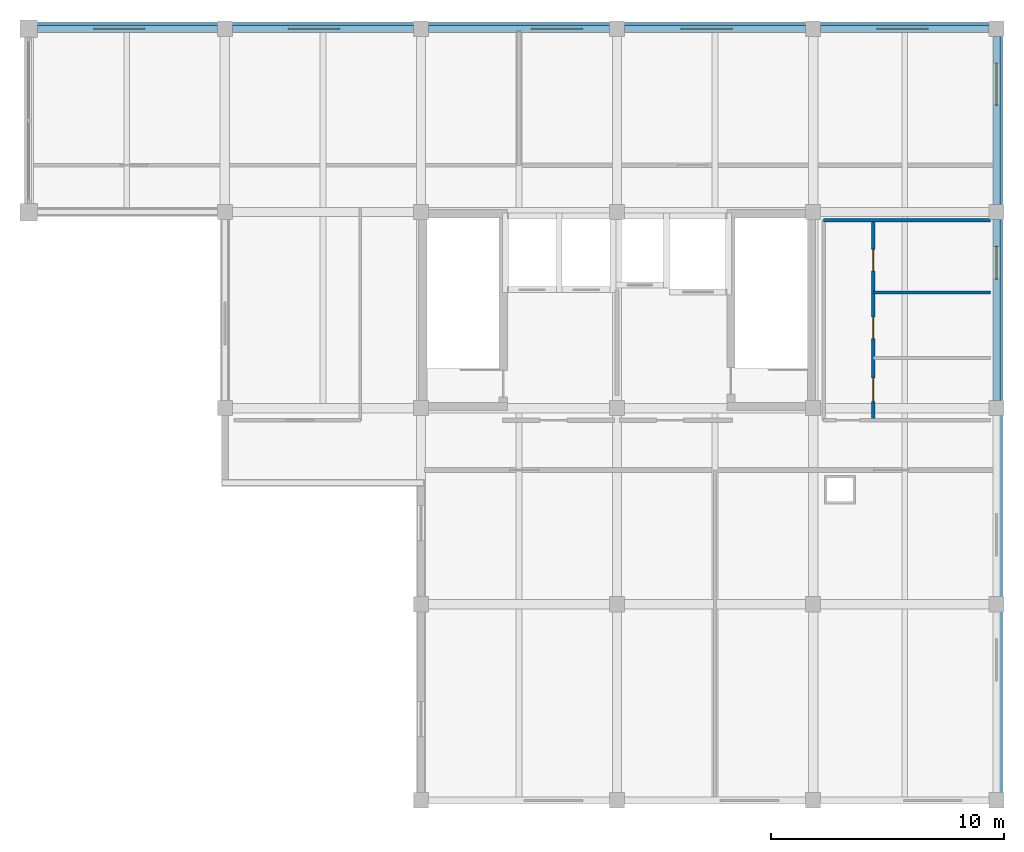
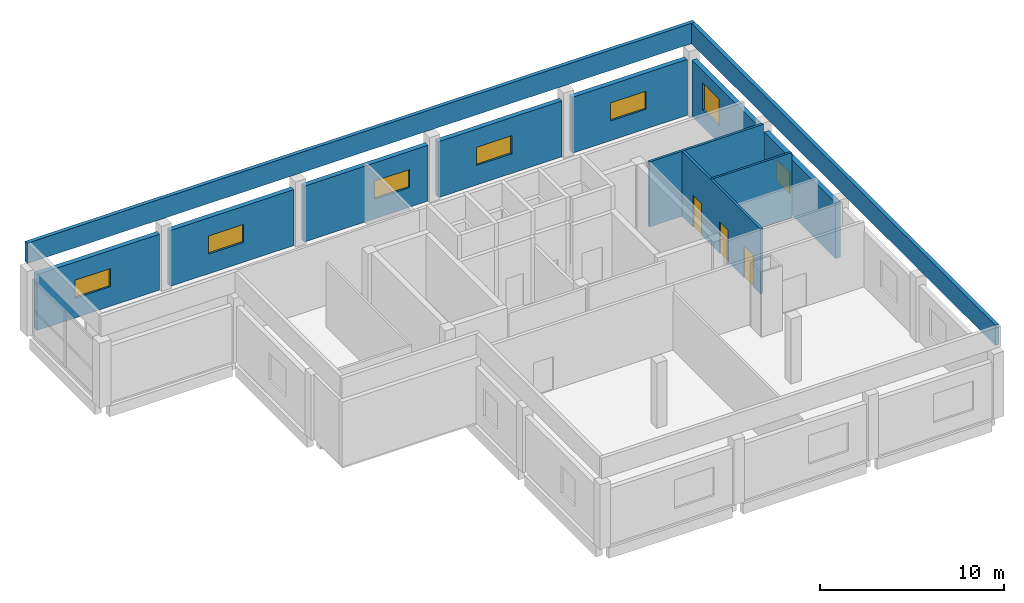
# One storey, part 7 of 8: 12 walls, 7 windows, 3 doors, 10 openings.
"""IFC4 building model written with IfcOpenShell, lengths in metres."""

from ifc_helpers import new_model, si_unit, direction, frame, frame_2d, origin, place, context, subcontext, project, spatial, rectangle, extrude, material, layer, layer_set, type_object, element, fill, save


model = new_model("IFC4")

# Units and contexts
model_context = context("Model", 3, precision=1e-05, world=origin(), true_north=direction((0.0, 1.0)))
body_context = subcontext(model_context, "Body", "Model", "MODEL_VIEW")
ifc_project = project(units=[si_unit("LENGTHUNIT", "METRE"), si_unit("AREAUNIT", "SQUARE_METRE"), si_unit("VOLUMEUNIT", "CUBIC_METRE"), si_unit("PLANEANGLEUNIT", "RADIAN"), si_unit("MASSUNIT", "GRAM", prefix="KILO")], contexts=[model_context])

# Site, building, storey
site_placement = place(None, origin())
site = spatial("IfcSite", under=ifc_project, at=site_placement, CompositionType="ELEMENT")
building_placement = place(site_placement, origin())
building = spatial("IfcBuilding", under=site, at=building_placement, Name="Brinegate Botanical Conservatory", CompositionType="ELEMENT")
storey_placement = place(building_placement, frame((0.0, 0.0, 65.699951171875)))
storey = spatial("IfcBuildingStorey", under=building, at=storey_placement, Name="L16", CompositionType="ELEMENT", Elevation=65.699951171875)

# Wall, opening, window
ifc_material_1 = material(Name="Insulated Minnan red clay brick masonry", Category="masonry")
ifc_layer_1 = layer(ifc_material_1, 0.300048828125, Name="Insulated Minnan red clay brick masonry", Category="masonry")
ifc_layer_set_1 = layer_set([ifc_layer_1], Name="Insulated Minnan red clay brick masonry")
wall_type_1 = type_object("IfcWallType", Name="Wall_EW-300B", PredefinedType="STANDARD", material=ifc_layer_set_1)
wall_1_placement = place(storey_placement, frame((122.375, 111.449951171875, 0.0), z_axis=(0.0, 0.0, 1.0), x_axis=(1.0, 0.0, 0.0)))
wall_1 = element("IfcWall", 1, at=wall_1_placement, inside=storey, type_object=wall_type_1, Name="Observatory north wall 1", PredefinedType="STANDARD", context=body_context, shape_type="SweptSolid", body=[
    extrude(rectangle(XDim=7.699951171875, YDim=0.300048828125, at=frame_2d((3.85009765625, 0.0))), origin(), (0.0, 0.0, 1.0), 3.699951171875),
])
opening_1_placement = place(wall_1_placement, frame((2.39990234375, 0.0, 1.300048828125)))
opening_1 = element("IfcOpeningElement", 2, at=opening_1_placement, cuts=wall_1, Name="Opening WN-18", PredefinedType="OPENING", context=body_context, shape_type="SweptSolid", body=[
    extrude(rectangle(XDim=2.199951171875, YDim=1.199951171875, at=frame_2d((1.10009765625, 0.60009765625))), frame((0.0, 0.159912109375, 0.0), z_axis=(0.0, -1.0, 0.0), x_axis=(1.0, 0.0, 0.0)), (0.0, 0.0, 1.0), 0.320068359375),
])
ifc_material_2 = material(Name="Thermally broken aluminium-framed Low-E glass", Category="aluminium")
window_type_1 = type_object("IfcWindowType", Name="Win_WN-18", PartitioningType="DOUBLE_PANEL_HORIZONTAL", PredefinedType="WINDOW", material=ifc_material_2)
window_1_placement = place(opening_1_placement, origin())
window_1 = element("IfcWindow", 3, at=window_1_placement, inside=storey, type_object=window_type_1, Name="Observatory north window 1", OverallHeight=1.199951171875, OverallWidth=2.199951171875, PartitioningType="DOUBLE_PANEL_HORIZONTAL", PredefinedType="WINDOW", context=body_context, shape_type="SweptSolid", body=[
    extrude(rectangle(XDim=2.199951171875, YDim=1.199951171875, at=frame_2d((1.10009765625, 0.60009765625))), frame((0.0, 0.030029296875, 0.0), z_axis=(0.0, -1.0, 0.0), x_axis=(1.0, 0.0, 0.0)), (0.0, 0.0, 1.0), 0.06005859375),
])
fill(opening_1, window_1)

wall_2_placement = place(storey_placement, frame((130.72509765625, 111.449951171875, 0.0), z_axis=(0.0, 0.0, 1.0), x_axis=(1.0, 0.0, 0.0)))
wall_2 = element("IfcWall", 4, at=wall_2_placement, inside=storey, type_object=wall_type_1, Name="Observatory north wall 2", PredefinedType="STANDARD", context=body_context, shape_type="SweptSolid", body=[
    extrude(rectangle(XDim=7.75, YDim=0.300048828125, at=frame_2d((3.875, 0.0))), origin(), (0.0, 0.0, 1.0), 3.699951171875),
])
opening_2_placement = place(wall_2_placement, frame((2.39990234375, 0.0, 1.300048828125)))
opening_2 = element("IfcOpeningElement", 5, at=opening_2_placement, cuts=wall_2, Name="Opening WN-18", PredefinedType="OPENING", context=body_context, shape_type="SweptSolid", body=[
    extrude(rectangle(XDim=2.199951171875, YDim=1.199951171875, at=frame_2d((1.10009765625, 0.60009765625))), frame((0.0, 0.159912109375, 0.0), z_axis=(0.0, -1.0, 0.0), x_axis=(1.0, 0.0, 0.0)), (0.0, 0.0, 1.0), 0.320068359375),
])
window_2_placement = place(opening_2_placement, origin())
window_2 = element("IfcWindow", 6, at=window_2_placement, inside=storey, type_object=window_type_1, Name="Observatory north window 2", OverallHeight=1.199951171875, OverallWidth=2.199951171875, PartitioningType="DOUBLE_PANEL_HORIZONTAL", PredefinedType="WINDOW", context=body_context, shape_type="SweptSolid", body=[
    extrude(rectangle(XDim=2.199951171875, YDim=1.199951171875, at=frame_2d((1.10009765625, 0.60009765625))), frame((0.0, 0.030029296875, 0.0), z_axis=(0.0, -1.0, 0.0), x_axis=(1.0, 0.0, 0.0)), (0.0, 0.0, 1.0), 0.06005859375),
])
fill(opening_2, window_2)

wall_3_placement = place(storey_placement, frame((139.125, 111.449951171875, 0.0), z_axis=(0.0, 0.0, 1.0), x_axis=(1.0, 0.0, 0.0)))
wall_3 = element("IfcWall", 7, at=wall_3_placement, inside=storey, type_object=wall_type_1, Name="Observatory north wall 3", PredefinedType="STANDARD", context=body_context, shape_type="SweptSolid", body=[
    extrude(rectangle(XDim=7.75, YDim=0.300048828125, at=frame_2d((3.875, 0.0))), origin(), (0.0, 0.0, 1.0), 3.699951171875),
])
opening_3_placement = place(wall_3_placement, frame((4.39990234375, 0.0, 1.300048828125)))
opening_3 = element("IfcOpeningElement", 8, at=opening_3_placement, cuts=wall_3, Name="Opening WN-18", PredefinedType="OPENING", context=body_context, shape_type="SweptSolid", body=[
    extrude(rectangle(XDim=2.199951171875, YDim=1.199951171875, at=frame_2d((1.10009765625, 0.60009765625))), frame((0.0, 0.159912109375, 0.0), z_axis=(0.0, -1.0, 0.0), x_axis=(1.0, 0.0, 0.0)), (0.0, 0.0, 1.0), 0.320068359375),
])
window_3_placement = place(opening_3_placement, origin())
window_3 = element("IfcWindow", 9, at=window_3_placement, inside=storey, type_object=window_type_1, Name="Observatory north window 3", OverallHeight=1.199951171875, OverallWidth=2.199951171875, PartitioningType="DOUBLE_PANEL_HORIZONTAL", PredefinedType="WINDOW", context=body_context, shape_type="SweptSolid", body=[
    extrude(rectangle(XDim=2.199951171875, YDim=1.199951171875, at=frame_2d((1.10009765625, 0.60009765625))), frame((0.0, 0.030029296875, 0.0), z_axis=(0.0, -1.0, 0.0), x_axis=(1.0, 0.0, 0.0)), (0.0, 0.0, 1.0), 0.06005859375),
])
fill(opening_3, window_3)

wall_4_placement = place(storey_placement, frame((147.52490234375, 111.449951171875, 0.0), z_axis=(0.0, 0.0, 1.0), x_axis=(1.0, 0.0, 0.0)))
wall_4 = element("IfcWall", 10, at=wall_4_placement, inside=storey, type_object=wall_type_1, Name="Observatory north wall 4", PredefinedType="STANDARD", context=body_context, shape_type="SweptSolid", body=[
    extrude(rectangle(XDim=7.75, YDim=0.300048828125, at=frame_2d((3.875, 0.0))), origin(), (0.0, 0.0, 1.0), 3.699951171875),
])
opening_4_placement = place(wall_4_placement, frame((2.39990234375, 0.0, 1.300048828125)))
opening_4 = element("IfcOpeningElement", 11, at=opening_4_placement, cuts=wall_4, Name="Opening WN-18", PredefinedType="OPENING", context=body_context, shape_type="SweptSolid", body=[
    extrude(rectangle(XDim=2.199951171875, YDim=1.199951171875, at=frame_2d((1.10009765625, 0.60009765625))), frame((0.0, 0.159912109375, 0.0), z_axis=(0.0, -1.0, 0.0), x_axis=(1.0, 0.0, 0.0)), (0.0, 0.0, 1.0), 0.320068359375),
])
window_4_placement = place(opening_4_placement, origin())
window_4 = element("IfcWindow", 12, at=window_4_placement, inside=storey, type_object=window_type_1, Name="Observatory north window 4", OverallHeight=1.199951171875, OverallWidth=2.199951171875, PartitioningType="DOUBLE_PANEL_HORIZONTAL", PredefinedType="WINDOW", context=body_context, shape_type="SweptSolid", body=[
    extrude(rectangle(XDim=2.199951171875, YDim=1.199951171875, at=frame_2d((1.10009765625, 0.60009765625))), frame((0.0, 0.030029296875, 0.0), z_axis=(0.0, -1.0, 0.0), x_axis=(1.0, 0.0, 0.0)), (0.0, 0.0, 1.0), 0.06005859375),
])
fill(opening_4, window_4)

wall_5_placement = place(storey_placement, frame((155.925048828125, 111.449951171875, 0.0), z_axis=(0.0, 0.0, 1.0), x_axis=(1.0, 0.0, 0.0)))
wall_5 = element("IfcWall", 13, at=wall_5_placement, inside=storey, type_object=wall_type_1, Name="Observatory north wall 5", PredefinedType="STANDARD", context=body_context, shape_type="SweptSolid", body=[
    extrude(rectangle(XDim=7.199951171875, YDim=0.300048828125, at=frame_2d((3.60009765625, 0.0))), origin(), (0.0, 0.0, 1.0), 3.699951171875),
])
opening_5_placement = place(wall_5_placement, frame((2.39990234375, 0.0, 1.300048828125)))
opening_5 = element("IfcOpeningElement", 14, at=opening_5_placement, cuts=wall_5, Name="Opening WN-18", PredefinedType="OPENING", context=body_context, shape_type="SweptSolid", body=[
    extrude(rectangle(XDim=2.199951171875, YDim=1.199951171875, at=frame_2d((1.10009765625, 0.60009765625))), frame((0.0, 0.159912109375, 0.0), z_axis=(0.0, -1.0, 0.0), x_axis=(1.0, 0.0, 0.0)), (0.0, 0.0, 1.0), 0.320068359375),
])
window_5_placement = place(opening_5_placement, origin())
window_5 = element("IfcWindow", 15, at=window_5_placement, inside=storey, type_object=window_type_1, Name="Observatory north window 5", OverallHeight=1.199951171875, OverallWidth=2.199951171875, PartitioningType="DOUBLE_PANEL_HORIZONTAL", PredefinedType="WINDOW", context=body_context, shape_type="SweptSolid", body=[
    extrude(rectangle(XDim=2.199951171875, YDim=1.199951171875, at=frame_2d((1.10009765625, 0.60009765625))), frame((0.0, 0.030029296875, 0.0), z_axis=(0.0, -1.0, 0.0), x_axis=(1.0, 0.0, 0.0)), (0.0, 0.0, 1.0), 0.06005859375),
])
fill(opening_5, window_5)

wall_6_placement = place(storey_placement, frame((163.449951171875, 103.27490234375, 0.0), z_axis=(0.0, 0.0, 1.0), x_axis=(0.0, -1.0, 0.0)))
wall_6 = element("IfcWall", 16, at=wall_6_placement, inside=storey, type_object=wall_type_1, Name="Tower east brick wall L16.3", PredefinedType="STANDARD", context=body_context, shape_type="SweptSolid", body=[
    extrude(rectangle(XDim=7.75, YDim=0.300048828125, at=frame_2d((3.875, 0.0))), origin(), (0.0, 0.0, 1.0), 3.699951171875),
])
opening_6_placement = place(wall_6_placement, frame((1.14990234375, 0.0, 1.10009765625)))
opening_6 = element("IfcOpeningElement", 17, at=opening_6_placement, cuts=wall_6, Name="Opening WN-16", PredefinedType="OPENING", context=body_context, shape_type="SweptSolid", body=[
    extrude(rectangle(XDim=1.39990234375, YDim=1.39990234375, at=frame_2d((0.699951171875, 0.699951171875))), frame((0.0, 0.159912109375, 0.0), z_axis=(0.0, -1.0, 0.0), x_axis=(1.0, 0.0, 0.0)), (0.0, 0.0, 1.0), 0.320068359375),
])
window_type_2 = type_object("IfcWindowType", Name="Win_WN-16", PartitioningType="SINGLE_PANEL", PredefinedType="WINDOW", material=ifc_material_2)
window_6_placement = place(opening_6_placement, origin())
window_6 = element("IfcWindow", 18, at=window_6_placement, inside=storey, type_object=window_type_2, Name="Tower east window L16.3", OverallHeight=1.39990234375, OverallWidth=1.39990234375, PartitioningType="SINGLE_PANEL", PredefinedType="WINDOW", context=body_context, shape_type="SweptSolid", body=[
    extrude(rectangle(XDim=1.39990234375, YDim=1.39990234375, at=frame_2d((0.699951171875, 0.699951171875))), frame((0.0, 0.030029296875, 0.0), z_axis=(0.0, -1.0, 0.0), x_axis=(1.0, 0.0, 0.0)), (0.0, 0.0, 1.0), 0.06005859375),
])
fill(opening_6, window_6)

wall_7_placement = place(storey_placement, frame((163.449951171875, 111.125, 0.0), z_axis=(0.0, 0.0, 1.0), x_axis=(0.0, -1.0, 0.0)))
wall_7 = element("IfcWall", 19, at=wall_7_placement, inside=storey, type_object=wall_type_1, Name="Tower east brick wall L16.4", PredefinedType="STANDARD", context=body_context, shape_type="SweptSolid", body=[
    extrude(rectangle(XDim=7.199951171875, YDim=0.300048828125, at=frame_2d((3.60009765625, 0.0))), origin(), (0.0, 0.0, 1.0), 3.699951171875),
])
opening_7_placement = place(wall_7_placement, frame((1.14990234375, 0.0, 1.10009765625)))
opening_7 = element("IfcOpeningElement", 20, at=opening_7_placement, cuts=wall_7, Name="Opening WN-05", PredefinedType="OPENING", context=body_context, shape_type="SweptSolid", body=[
    extrude(rectangle(XDim=1.800048828125, YDim=1.800048828125, at=frame_2d((0.89990234375, 0.89990234375))), frame((0.0, 0.159912109375, 0.0), z_axis=(0.0, -1.0, 0.0), x_axis=(1.0, 0.0, 0.0)), (0.0, 0.0, 1.0), 0.320068359375),
])
window_type_3 = type_object("IfcWindowType", Name="Win_WN-05", PartitioningType="DOUBLE_PANEL_VERTICAL", PredefinedType="WINDOW", material=ifc_material_2)
window_7_placement = place(opening_7_placement, origin())
window_7 = element("IfcWindow", 21, at=window_7_placement, inside=storey, type_object=window_type_3, Name="Tower east window L16.4", OverallHeight=1.800048828125, OverallWidth=1.800048828125, PartitioningType="DOUBLE_PANEL_VERTICAL", PredefinedType="WINDOW", context=body_context, shape_type="SweptSolid", body=[
    extrude(rectangle(XDim=1.800048828125, YDim=1.800048828125, at=frame_2d((0.89990234375, 0.89990234375))), frame((0.0, 0.030029296875, 0.0), z_axis=(0.0, -1.0, 0.0), x_axis=(1.0, 0.0, 0.0)), (0.0, 0.0, 1.0), 0.06005859375),
])
fill(opening_7, window_7)

# Walls
ifc_material_3 = material(Name="Precast concrete C40/50 coping & red-brick parapet", Category="masonry")
ifc_layer_2 = layer(ifc_material_3, 0.22998046875, Name="Precast concrete C40/50 coping & red-brick parapet", Category="masonry")
ifc_layer_set_2 = layer_set([ifc_layer_2], Name="Precast concrete C40/50 coping & red-brick parapet")
wall_type_2 = type_object("IfcWallType", Name="Wall_PR-230", PredefinedType="PARAPET", material=ifc_layer_set_2)
wall_8_placement = place(storey_placement, frame((163.60009765625, 78.514892578125, 4.5), z_axis=(0.0, 0.0, 1.0), x_axis=(0.0, 1.0, 0.0)))
element("IfcWall", 22, at=wall_8_placement, inside=storey, type_object=wall_type_2, Name="Tower main roof parapet 2", PredefinedType="PARAPET", context=body_context, shape_type="SweptSolid", body=[
    extrude(rectangle(XDim=32.97021484375, YDim=0.22998046875, at=frame_2d((16.485107421875, 0.0))), origin(), (0.0, 0.0, 1.0), 1.35009765625),
])
wall_9_placement = place(storey_placement, frame((163.715087890625, 111.60009765625, 4.5), z_axis=(0.0, 0.0, 1.0), x_axis=(-1.0, 0.0, 0.0)))
element("IfcWall", 23, at=wall_9_placement, inside=storey, type_object=wall_type_2, Name="Tower main roof parapet 3", PredefinedType="PARAPET", context=body_context, shape_type="SweptSolid", body=[
    extrude(rectangle(XDim=41.830078125, YDim=0.22998046875, at=frame_2d((20.9150390625, 0.0))), origin(), (0.0, 0.0, 1.0), 1.35009765625),
])
ifc_material_4 = material(Name="Gypsum-clad steel-stud partition", Category="steel")
ifc_layer_3 = layer(ifc_material_4, 0.135009765625, Name="Gypsum-clad steel-stud partition", Category="steel")
ifc_layer_set_3 = layer_set([ifc_layer_3], Name="Gypsum-clad steel-stud partition")
wall_type_3 = type_object("IfcWallType", Name="Wall_PW-135", PredefinedType="PARTITIONING", material=ifc_layer_set_3)
wall_10_placement = place(storey_placement, frame((158.179931640625, 100.14990234375, 0.0), z_axis=(0.0, 0.0, 1.0), x_axis=(1.0, 0.0, 0.0)))
element("IfcWall", 24, at=wall_10_placement, inside=storey, type_object=wall_type_3, Name="Interior partition P-L16-WCD-10015", PredefinedType="PARTITIONING", context=body_context, shape_type="SweptSolid", body=[
    extrude(rectangle(XDim=5.02001953125, YDim=0.135009765625, at=frame_2d((2.510009765625, 0.0))), origin(), (0.0, 0.0, 1.0), 4.300048828125),
])

# Wall, openings, doors
ifc_material_5 = material(Name="Moisture-resistant cement-board partition", Category="gypsum")
ifc_layer_4 = layer(ifc_material_5, 0.14990234375, Name="Moisture-resistant cement-board partition", Category="gypsum")
ifc_layer_set_4 = layer_set([ifc_layer_4], Name="Moisture-resistant cement-board partition")
wall_type_4 = type_object("IfcWallType", Name="Wall_PW-150W", PredefinedType="PARTITIONING", material=ifc_layer_set_4)
wall_11_placement = place(storey_placement, frame((158.179931640625, 94.679931640625, 0.0), z_axis=(0.0, 0.0, 1.0), x_axis=(0.0, 1.0, 0.0)))
wall_11 = element("IfcWall", 25, at=wall_11_placement, inside=storey, type_object=wall_type_4, Name="Interior partition P-L16-WCW", PredefinedType="PARTITIONING", context=body_context, shape_type="SweptSolid", body=[
    extrude(rectangle(XDim=8.570068359375, YDim=0.14990234375, at=frame_2d((4.28515625, 0.0))), origin(), (0.0, 0.0, 1.0), 4.300048828125),
])
opening_8_placement = place(wall_11_placement, frame((0.800048828125, 0.0, 0.0)))
opening_8 = element("IfcOpeningElement", 26, at=opening_8_placement, cuts=wall_11, Name="Opening DR-ACC", PredefinedType="OPENING", context=body_context, shape_type="SweptSolid", body=[
    extrude(rectangle(XDim=1.0, YDim=2.1201171875, at=frame_2d((0.5, 1.06005859375))), frame((0.0, 0.0849609375, 0.0), z_axis=(0.0, -1.0, 0.0), x_axis=(1.0, 0.0, 0.0)), (0.0, 0.0, 1.0), 0.169921875),
])
opening_9_placement = place(wall_11_placement, frame((3.5, 0.0, 0.0)))
opening_9 = element("IfcOpeningElement", 27, at=opening_9_placement, cuts=wall_11, Name="Opening DR-04", PredefinedType="OPENING", context=body_context, shape_type="SweptSolid", body=[
    extrude(rectangle(XDim=0.919921875, YDim=2.10009765625, at=frame_2d((0.4599609375, 1.050048828125))), frame((0.0, 0.0849609375, 0.0), z_axis=(0.0, -1.0, 0.0), x_axis=(1.0, 0.0, 0.0)), (0.0, 0.0, 1.0), 0.169921875),
])
opening_10_placement = place(wall_11_placement, frame((6.39990234375, 0.0, 0.0)))
opening_10 = element("IfcOpeningElement", 28, at=opening_10_placement, cuts=wall_11, Name="Opening DR-04", PredefinedType="OPENING", context=body_context, shape_type="SweptSolid", body=[
    extrude(rectangle(XDim=0.919921875, YDim=2.10009765625, at=frame_2d((0.4599609375, 1.050048828125))), frame((0.0, 0.0849609375, 0.0), z_axis=(0.0, -1.0, 0.0), x_axis=(1.0, 0.0, 0.0)), (0.0, 0.0, 1.0), 0.169921875),
])
ifc_material_6 = material(Name="Moisture-resistant laminate timber leaf", Category="wood")
door_type_1 = type_object("IfcDoorType", Name="Door_DR-04", OperationType="NOTDEFINED", PredefinedType="DOOR", material=ifc_material_6)
door_1_placement = place(opening_9_placement, origin())
door_1 = element("IfcDoor", 29, at=door_1_placement, inside=storey, type_object=door_type_1, Name="DR-P-L16-WCW-2", OperationType="SINGLE_SWING_RIGHT", OverallHeight=2.10009765625, OverallWidth=0.919921875, PredefinedType="DOOR", context=body_context, shape_type="SweptSolid", body=[
    extrude(rectangle(XDim=0.919921875, YDim=2.10009765625, at=frame_2d((0.4599609375, 1.050048828125))), frame((0.0, 0.02490234375, 0.0), z_axis=(0.0, -1.0, 0.0), x_axis=(1.0, 0.0, 0.0)), (0.0, 0.0, 1.0), 0.050048828125),
])
fill(opening_9, door_1)
door_2_placement = place(opening_10_placement, origin())
door_2 = element("IfcDoor", 30, at=door_2_placement, inside=storey, type_object=door_type_1, Name="DR-P-L16-WCW-3", OperationType="SINGLE_SWING_LEFT", OverallHeight=2.10009765625, OverallWidth=0.919921875, PredefinedType="DOOR", context=body_context, shape_type="SweptSolid", body=[
    extrude(rectangle(XDim=0.919921875, YDim=2.10009765625, at=frame_2d((0.4599609375, 1.050048828125))), frame((0.0, 0.02490234375, 0.0), z_axis=(0.0, -1.0, 0.0), x_axis=(1.0, 0.0, 0.0)), (0.0, 0.0, 1.0), 0.050048828125),
])
fill(opening_10, door_2)
ifc_material_7 = material(Name="Moisture-resistant barrier-free timber leaf", Category="wood")
door_type_2 = type_object("IfcDoorType", Name="Door_DR-ACC", OperationType="NOTDEFINED", PredefinedType="DOOR", material=ifc_material_7)
door_3_placement = place(opening_8_placement, origin())
door_3 = element("IfcDoor", 31, at=door_3_placement, inside=storey, type_object=door_type_2, Name="DR-P-L16-WCW-1", OperationType="SINGLE_SWING_LEFT", OverallHeight=2.1201171875, OverallWidth=1.0, PredefinedType="DOOR", context=body_context, shape_type="SweptSolid", body=[
    extrude(rectangle(XDim=1.0, YDim=2.1201171875, at=frame_2d((0.5, 1.06005859375))), frame((0.0, 0.02490234375, 0.0), z_axis=(0.0, -1.0, 0.0), x_axis=(1.0, 0.0, 0.0)), (0.0, 0.0, 1.0), 0.050048828125),
])
fill(opening_8, door_3)

# Wall
wall_12_placement = place(storey_placement, frame((156.050048828125, 103.25, 0.0), z_axis=(0.0, 0.0, 1.0), x_axis=(1.0, 0.0, 0.0)))
element("IfcWall", 32, at=wall_12_placement, inside=storey, type_object=wall_type_4, Name="Interior partition P-L16-WCN", PredefinedType="PARTITIONING", context=body_context, shape_type="SweptSolid", body=[
    extrude(rectangle(XDim=7.14990234375, YDim=0.14990234375, at=frame_2d((3.574951171875, 0.0))), origin(), (0.0, 0.0, 1.0), 4.300048828125),
])

save(model, "model.ifc")
